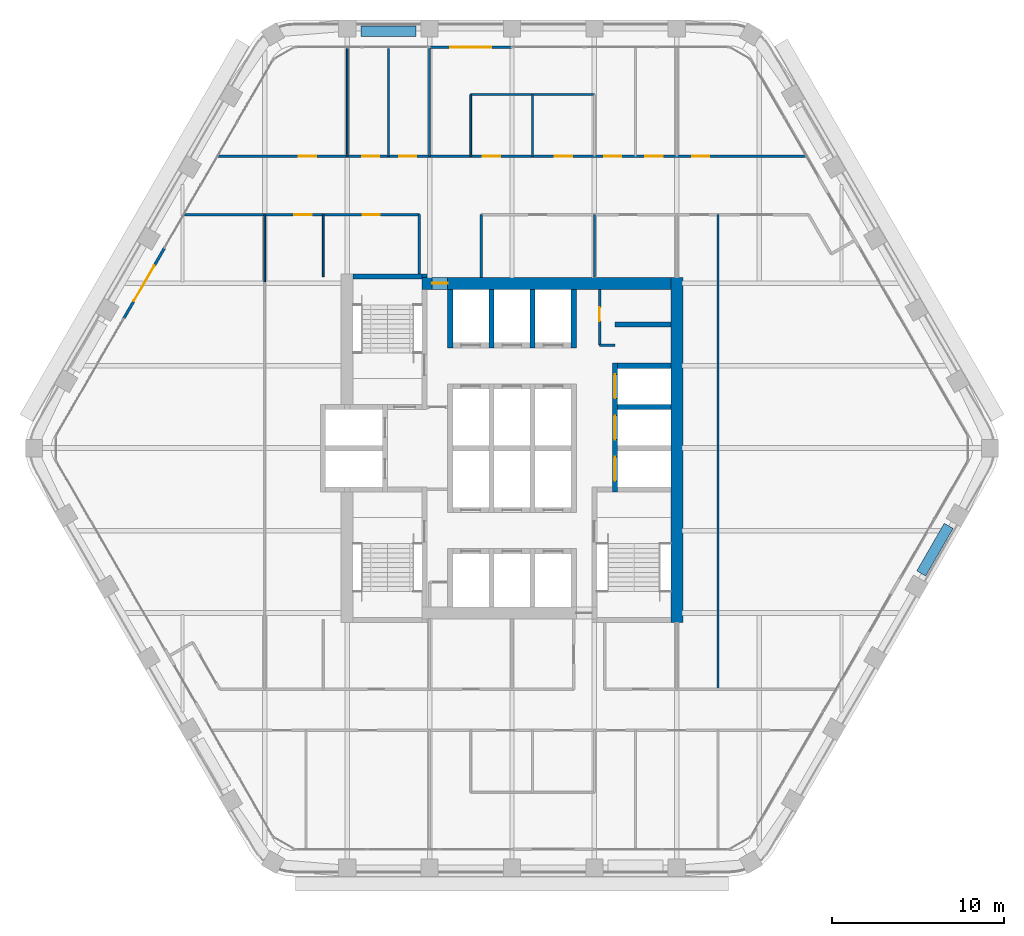
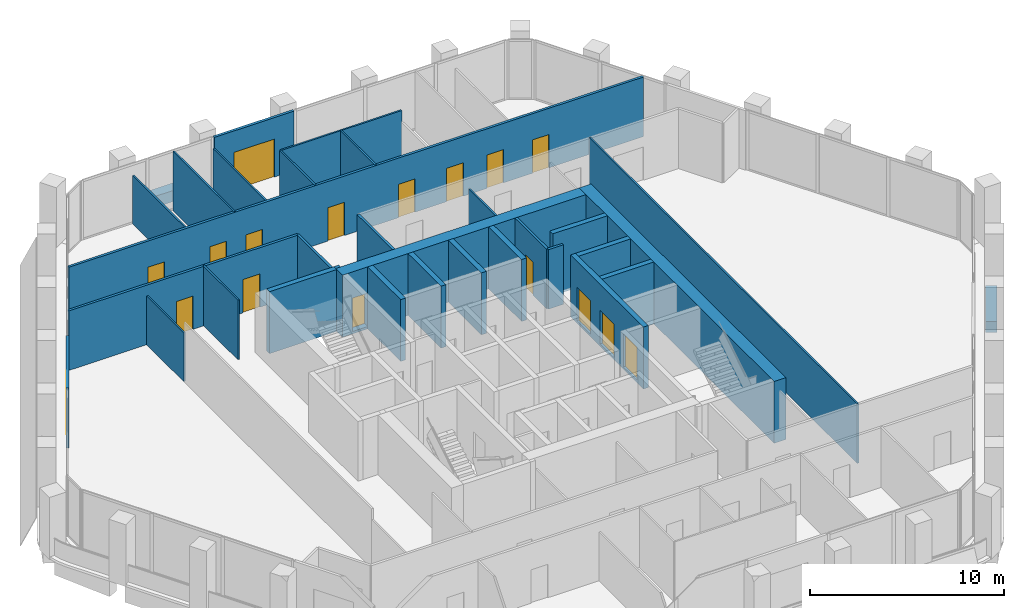
# One storey, part 11 of 15: 32 walls, 17 doors, 17 openings.
"""IFC4 building model written with IfcOpenShell, lengths in metres."""

import ifcopenshell
import ifcopenshell.guid

model = None  # the IFC model being written
_history = None  # IfcOwnerHistory: only IFC2X3 demands one
_inside = {}  # id of a spatial element -> (the spatial element, [elements in it])
_under = {}  # id of a project, library or spatial element -> (it, [spatial elements below it])
_declared = {}  # id of a project -> (the project, [libraries it declares])
_typed = {}  # id of a type object -> (the type object, [elements of that type])
_made_of = {}  # id of a material, layer set ... -> (it, [elements and type objects made of it])


def new_model(schema):
    """Start an empty IFC model of exactly this schema.

    Asked for "IFC4X3", IfcOpenShell would pick the latest addendum, in which some entities
    have other attributes; the version numbers below select the first issue.
    IFC2X3 requires an IfcOwnerHistory on every rooted entity: one is made here for all.
    """
    global model, _history
    if schema == "IFC4X3":
        model = ifcopenshell.file(schema_version=(4, 3, 0, 0))
    else:
        model = ifcopenshell.file(schema=schema)
    _inside.clear()
    _under.clear()
    _declared.clear()
    _typed.clear()
    _made_of.clear()
    _history = None
    if model.schema == "IFC2X3":
        org = make("IfcOrganization", Name="unknown")
        user = make(
            "IfcPersonAndOrganization",
            ThePerson=make("IfcPerson", FamilyName="unknown"),
            TheOrganization=org,
        )
        app = make(
            "IfcApplication",
            ApplicationDeveloper=org,
            Version="unknown",
            ApplicationFullName="unknown",
            ApplicationIdentifier="unknown",
        )
        _history = make(
            "IfcOwnerHistory",
            OwningUser=user,
            OwningApplication=app,
            ChangeAction="ADDED",
            CreationDate=0,
        )
    return model


def make(cls, **values):
    """One entity of the class cls with the attributes given. An attribute that is None is left unset."""
    return model.create_entity(
        cls, **{name: value for name, value in values.items() if value is not None}
    )


def rooted(cls, **values):
    """An entity with a GlobalId (a new one), such as an element, a storey or a relation."""
    return make(cls, GlobalId=ifcopenshell.guid.new(), OwnerHistory=_history, **values)


def si_unit(unit_type, name, prefix=None):
    """IfcSIUnit, for example si_unit("LENGTHUNIT", "METRE", prefix="MILLI")."""
    return make("IfcSIUnit", UnitType=unit_type, Prefix=prefix, Name=name)


def assignment(units):
    """IfcUnitAssignment: the units of a project."""
    return None if units is None else make("IfcUnitAssignment", Units=units)


def point(xyz):
    """IfcCartesianPoint."""
    return None if xyz is None else make("IfcCartesianPoint", Coordinates=xyz)


def direction(xyz):
    """IfcDirection."""
    return None if xyz is None else make("IfcDirection", DirectionRatios=xyz)


def frame(location, z_axis=None, x_axis=None):
    """IfcAxis2Placement3D, a coordinate frame: its origin and axes. An axis left out is left unset."""
    return make(
        "IfcAxis2Placement3D",
        Location=point(location),
        Axis=direction(z_axis),
        RefDirection=direction(x_axis),
    )


def frame_2d(location, x_axis=None):
    """IfcAxis2Placement2D, a coordinate frame in the plane: its origin and x axis."""
    return make(
        "IfcAxis2Placement2D", Location=point(location), RefDirection=direction(x_axis)
    )


def origin():
    """The frame at (0, 0, 0) with its axes left unset."""
    return frame((0.0, 0.0, 0.0))


def place(relative_to, where):
    """IfcLocalPlacement: puts the frame where relative to a parent placement (None: the world)."""
    return make(
        "IfcLocalPlacement", PlacementRelTo=relative_to, RelativePlacement=where
    )


def context(
    kind, dimensions, precision=None, world=None, true_north=None, identifier=None
):
    """IfcGeometricRepresentationContext, for example the 3D "Model" context."""
    return make(
        "IfcGeometricRepresentationContext",
        ContextIdentifier=identifier,
        ContextType=kind,
        CoordinateSpaceDimension=dimensions,
        Precision=precision,
        WorldCoordinateSystem=world,
        TrueNorth=true_north,
    )


def subcontext(parent, identifier, kind, view, scale=None):
    """IfcGeometricRepresentationSubContext, for example "Body" below "Model"."""
    return make(
        "IfcGeometricRepresentationSubContext",
        ContextIdentifier=identifier,
        ContextType=kind,
        ParentContext=parent,
        TargetScale=scale,
        TargetView=view,
    )


def project(units=None, contexts=None):
    """IfcProject with its units and contexts."""
    return rooted(
        "IfcProject",
        Name="project",
        RepresentationContexts=contexts,
        UnitsInContext=assignment(units),
    )


def spatial(cls, under=None, at=None, **own):
    """A site, building, storey or space (cls), placed at a placement, below another one or the project."""
    s = rooted(cls, ObjectPlacement=at, **own)
    if under is not None:
        _under.setdefault(under.id(), (under, []))[1].append(s)
    return s


def profile(cls, at=None, kind="AREA", **sizes):
    """A parametric profile (cls). Its sizes go by their IFC names, for example OverallWidth=200.0."""
    return make(cls, ProfileType=kind, Position=at, **sizes)


def rectangle(**sizes):
    """IfcRectangleProfileDef."""
    return profile("IfcRectangleProfileDef", **sizes)


def extrude(swept, where, along, depth):
    """IfcExtrudedAreaSolid: the profile swept, set in the frame where, extruded along a direction by depth."""
    return make(
        "IfcExtrudedAreaSolid",
        SweptArea=swept,
        Position=where,
        ExtrudedDirection=direction(along),
        Depth=depth,
    )


def shape(context_of_items, identifier, shape_type, items):
    """IfcShapeRepresentation: the items that make up one representation, for example the "Body"."""
    return make(
        "IfcShapeRepresentation",
        ContextOfItems=context_of_items,
        RepresentationIdentifier=identifier,
        RepresentationType=shape_type,
        Items=items,
    )


def material(Name=None, Category=None):
    """IfcMaterial."""
    return make("IfcMaterial", Name=Name, Category=Category)


def layer(
    of_material, thickness, ventilated=None, Name=None, Category=None, Priority=None
):
    """IfcMaterialLayer: one layer of a wall or slab, of a material (None: an air gap)."""
    return make(
        "IfcMaterialLayer",
        Material=of_material,
        LayerThickness=thickness,
        IsVentilated=ventilated,
        Name=Name,
        Category=Category,
        Priority=Priority,
    )


def layer_set(layers, Name=None):
    """IfcMaterialLayerSet."""
    return make("IfcMaterialLayerSet", MaterialLayers=layers, LayerSetName=Name)


def made_of(thing, what):
    """Note that an element or type object is made of a material, layer set ...; save() writes the relation."""
    if what is not None:
        _made_of.setdefault(what.id(), (what, []))[1].append(thing)
    return thing


def type_object(cls, material=None, **own):
    """A type object (cls), such as IfcWallType, which elements share."""
    return made_of(rooted(cls, **own), material)


def element(
    cls,
    number,
    at=None,
    inside=None,
    cuts=None,
    type_object=None,
    material=None,
    context=None,
    identifier="Body",
    shape_type=None,
    held_by="IfcProductDefinitionShape",
    body=None,
    shapes=None,
    **own,
):
    """One element of the class cls, such as IfcWall. Its Tag is "e" and its number.

    at: its placement. inside: the storey or other place that contains it. cuts: it is an
    opening in that element (IfcRelVoidsElement). A single representation is given by context,
    identifier, shape_type and body (its items); several are given by shapes. held_by: the class
    of the entity that holds the representations. save() writes the other relations.
    """
    e = rooted(cls, Tag="e%d" % number, ObjectPlacement=at, **own)
    if body is not None:
        shapes = [shape(context, identifier, shape_type, body)]
    if shapes is not None:
        e.Representation = make(held_by, Representations=shapes)
    if inside is not None:
        _inside.setdefault(inside.id(), (inside, []))[1].append(e)
    if cuts is not None:
        rooted(
            "IfcRelVoidsElement", RelatingBuildingElement=cuts, RelatedOpeningElement=e
        )
    if type_object is not None:
        _typed.setdefault(type_object.id(), (type_object, []))[1].append(e)
    return made_of(e, material)


def fill(opening, filler):
    """IfcRelFillsElement: the door or window that sits in an opening."""
    return rooted(
        "IfcRelFillsElement",
        RelatingOpeningElement=opening,
        RelatedBuildingElement=filler,
    )


def aggregate(whole, parts):
    """IfcRelAggregates: a whole, such as a stair, and the parts it consists of."""
    return rooted("IfcRelAggregates", RelatingObject=whole, RelatedObjects=parts)


def save(model, path):
    """Write the relations noted so far, then the file.

    IfcRelAggregates (storeys below a building ...), IfcRelContainedInSpatialStructure (elements
    in a storey), IfcRelDefinesByType, IfcRelAssociatesMaterial and IfcRelDeclares: one each for
    every whole, place, type object, material and project.
    """
    for whole, parts in _under.values():
        aggregate(whole, parts)
    for where, things in _inside.values():
        rooted(
            "IfcRelContainedInSpatialStructure",
            RelatedElements=things,
            RelatingStructure=where,
        )
    for kind, things in _typed.values():
        rooted("IfcRelDefinesByType", RelatedObjects=things, RelatingType=kind)
    for what, things in _made_of.values():
        rooted("IfcRelAssociatesMaterial", RelatedObjects=things, RelatingMaterial=what)
    for by, libraries in _declared.values():
        rooted("IfcRelDeclares", RelatingContext=by, RelatedDefinitions=libraries)
    model.write(path)


model = new_model("IFC4")

# Units and contexts
model_context = context("Model", 3, precision=1e-05, world=origin(), true_north=direction((0.0, 1.0)))
body_context = subcontext(model_context, "Body", "Model", "MODEL_VIEW")
ifc_project = project(units=[si_unit("LENGTHUNIT", "METRE"), si_unit("AREAUNIT", "SQUARE_METRE"), si_unit("VOLUMEUNIT", "CUBIC_METRE"), si_unit("PLANEANGLEUNIT", "RADIAN"), si_unit("MASSUNIT", "GRAM", prefix="KILO")], contexts=[model_context])

# Site, building, storey
site_placement = place(None, origin())
site = spatial("IfcSite", under=ifc_project, at=site_placement, CompositionType="ELEMENT")
building_placement = place(site_placement, origin())
building = spatial("IfcBuilding", under=site, at=building_placement, Name="Kolab Exchange Tower", CompositionType="ELEMENT")
storey_placement = place(building_placement, frame((0.0, 0.0, 170.0)))
storey = spatial("IfcBuildingStorey", under=building, at=storey_placement, Name="L35", CompositionType="ELEMENT", Elevation=170.0)

# Wall, opening, door
ifc_material_1 = material(Name="Concrete C60/75", Category="concrete")
ifc_layer_1 = layer(ifc_material_1, 0.699951171875)
ifc_layer_set_1 = layer_set([ifc_layer_1], Name="Concrete C60/75")
wall_type_1 = type_object("IfcWallType", Name="CORE WALL 700 C60/75", PredefinedType="SHEAR", material=ifc_layer_set_1)
wall_1_placement = place(storey_placement, frame((-5.25, 9.60009765625, -0.14990234375), z_axis=(0.0, 0.0, 1.0), x_axis=(1.0, 0.0, 0.0)))
wall_1 = element("IfcWall", 1, at=wall_1_placement, inside=storey, type_object=wall_type_1, Name="wall/L35/core/031", PredefinedType="SHEAR", context=body_context, shape_type="SweptSolid", body=[
    extrude(rectangle(XDim=14.5, YDim=0.699951171875, at=frame_2d((7.25, 0.0))), origin(), (0.0, 0.0, 1.0), 3.89990234375),
])
opening_1_placement = place(wall_1_placement, frame((0.60009765625, 0.0, 0.14990234375)))
opening_1 = element("IfcOpeningElement", 2, at=opening_1_placement, cuts=wall_1, Name="Opening D6-289", PredefinedType="OPENING", context=body_context, shape_type="SweptSolid", body=[
    extrude(rectangle(XDim=0.89990234375, YDim=2.10009765625, at=frame_2d((0.449951171875, 1.050048828125))), frame((0.0, 0.35986328125, 0.0), z_axis=(0.0, -1.0, 0.0), x_axis=(1.0, 0.0, 0.0)), (0.0, 0.0, 1.0), 0.719970703125),
])
ifc_material_2 = material(Name="Steel S235", Category="steel")
door_type_1 = type_object("IfcDoorType", Name="CORE DOOR 900 EI 120", OperationType="SINGLE_SWING_LEFT", PredefinedType="DOOR", material=ifc_material_2)
door_1_placement = place(opening_1_placement, frame((0.89990234375, 0.0, 0.0), z_axis=(0.0, 0.0, 1.0), x_axis=(-1.0, 0.0, 0.0)))
door_1 = element("IfcDoor", 3, at=door_1_placement, inside=storey, type_object=door_type_1, Name="Core lobby door", OperationType="SINGLE_SWING_RIGHT", OverallHeight=2.10009765625, OverallWidth=0.89990234375, PredefinedType="DOOR", context=body_context, shape_type="SweptSolid", body=[
    extrude(rectangle(XDim=0.89990234375, YDim=2.10009765625, at=frame_2d((0.449951171875, 1.050048828125))), frame((0.0, 0.02490234375, 0.0), z_axis=(0.0, -1.0, 0.0), x_axis=(1.0, 0.0, 0.0)), (0.0, 0.0, 1.0), 0.050048828125),
])
fill(opening_1, door_1)

# Wall
wall_2_placement = place(storey_placement, frame((9.60009765625, -10.14990234375, -0.14990234375), z_axis=(0.0, 0.0, 1.0), x_axis=(0.0, 1.0, 0.0)))
element("IfcWall", 4, at=wall_2_placement, inside=storey, type_object=wall_type_1, Name="wall/L35/core/058", PredefinedType="SHEAR", context=body_context, shape_type="SweptSolid", body=[
    extrude(rectangle(XDim=20.099853515625, YDim=0.699951171875, at=frame_2d((10.0498046875, 0.0))), origin(), (0.0, 0.0, 1.0), 3.89990234375),
])

# Wall, opening, door
ifc_material_3 = material(Name="Aluminium EN AW-6063 T6", Category="aluminium")
ifc_layer_2 = layer(ifc_material_3, 0.159912109375)
ifc_layer_set_2 = layer_set([ifc_layer_2], Name="Aluminium EN AW-6063 T6")
wall_type_2 = type_object("IfcWallType", Name="DOOR SURROUND WALL 160 ALUMINIUM FRAMED", PredefinedType="PARTITIONING", material=ifc_layer_set_2)
wall_3_placement = place(storey_placement, frame((-4.77001953125, 23.361572265625, 0.0), z_axis=(0.0, 0.0, 1.0), x_axis=(1.0, 0.0, 0.0)))
wall_3 = element("IfcWall", 5, at=wall_3_placement, inside=storey, type_object=wall_type_2, Name="Door surround wall", PredefinedType="PARTITIONING", context=body_context, shape_type="SweptSolid", body=[
    extrude(rectangle(XDim=4.739990234375, YDim=0.159912109375, at=frame_2d((2.3701171875, 0.0))), origin(), (0.0, 0.0, 1.0), 3.75),
])
opening_2_placement = place(wall_3_placement, frame((1.169921875, 0.0, 0.0)))
opening_2 = element("IfcOpeningElement", 6, at=opening_2_placement, cuts=wall_3, Name="Opening GD1-064", PredefinedType="OPENING", context=body_context, shape_type="SweptSolid", body=[
    extrude(rectangle(XDim=2.39990234375, YDim=2.39990234375, at=frame_2d((1.199951171875, 1.199951171875))), frame((0.0, 0.08984375, 0.0), z_axis=(0.0, -1.0, 0.0), x_axis=(1.0, 0.0, 0.0)), (0.0, 0.0, 1.0), 0.179931640625),
])
door_type_2 = type_object("IfcDoorType", Name="LOGGIA SLIDING GLASS DOOR 2400 X 2400", OperationType="DOUBLE_DOOR_SINGLE_SWING", PredefinedType="DOOR", material=ifc_material_3)
door_2_placement = place(opening_2_placement, origin())
door_2 = element("IfcDoor", 7, at=door_2_placement, inside=storey, type_object=door_type_2, Name="Loggia door", OperationType="DOUBLE_DOOR_SLIDING", OverallHeight=2.39990234375, OverallWidth=2.39990234375, PredefinedType="DOOR", context=body_context, shape_type="SweptSolid", body=[
    extrude(rectangle(XDim=2.39990234375, YDim=2.39990234375, at=frame_2d((1.199951171875, 1.199951171875))), frame((0.0, 0.02490234375, 0.0), z_axis=(0.0, -1.0, 0.0), x_axis=(1.0, 0.0, 0.0)), (0.0, 0.0, 1.0), 0.050048828125),
])
fill(opening_2, door_2)

wall_4_placement = place(storey_placement, frame((-22.61669921875, 7.5498046875, 0.0), z_axis=(0.0, 0.0, 1.0), x_axis=(0.5000167099, 0.866015756104, 0.0)))
wall_4 = element("IfcWall", 8, at=wall_4_placement, inside=storey, type_object=wall_type_2, Name="Door surround wall", PredefinedType="PARTITIONING", context=body_context, shape_type="SweptSolid", body=[
    extrude(rectangle(XDim=4.739990234375, YDim=0.159912109375, at=frame_2d((2.3701171875, 0.0))), origin(), (0.0, 0.0, 1.0), 3.75),
])
opening_3_placement = place(wall_4_placement, frame((1.169921875, 0.0, 0.0)))
opening_3 = element("IfcOpeningElement", 9, at=opening_3_placement, cuts=wall_4, Name="Opening GD1-069", PredefinedType="OPENING", context=body_context, shape_type="SweptSolid", body=[
    extrude(rectangle(XDim=2.39990234375, YDim=2.39990234375, at=frame_2d((1.199951171875, 1.199951171875))), frame((0.0, 0.08984375, 0.0), z_axis=(0.0, -1.0, 0.0), x_axis=(1.0, 0.0, 0.0)), (0.0, 0.0, 1.0), 0.179931640625),
])
door_3_placement = place(opening_3_placement, origin())
door_3 = element("IfcDoor", 10, at=door_3_placement, inside=storey, type_object=door_type_2, Name="Loggia door", OperationType="DOUBLE_DOOR_SLIDING", OverallHeight=2.39990234375, OverallWidth=2.39990234375, PredefinedType="DOOR", context=body_context, shape_type="SweptSolid", body=[
    extrude(rectangle(XDim=2.39990234375, YDim=2.39990234375, at=frame_2d((1.199951171875, 1.199951171875))), frame((0.0, 0.02490234375, 0.0), z_axis=(0.0, -1.0, 0.0), x_axis=(1.0, 0.0, 0.0)), (0.0, 0.0, 1.0), 0.050048828125),
])
fill(opening_3, door_3)

# Walls
ifc_material_4 = material(Name="Concrete C50/60", Category="concrete")
ifc_layer_3 = layer(ifc_material_4, 0.300048828125)
ifc_layer_set_3 = layer_set([ifc_layer_3], Name="Concrete C50/60")
wall_type_3 = type_object("IfcWallType", Name="LIFT SHAFT WALL 300 C50/60", PredefinedType="STANDARD", material=ifc_layer_set_3)
for number, where, z_axis, x_axis, name in (
    (11, (6.14990234375, 2.39990234375, -0.14990234375), (0.0, 0.0, 1.0), (1.0, 0.0, 0.0), "wall/L35/core/022"),
    (12, (6.14990234375, 4.800048828125, -0.14990234375), (0.0, 0.0, 1.0), (1.0, 0.0, 0.0), "wall/L35/core/026"),
):
    element("IfcWall", number, at=place(storey_placement, frame(where, z_axis=z_axis, x_axis=x_axis)), inside=storey, type_object=wall_type_3, Name=name, PredefinedType="STANDARD", context=body_context, shape_type="SweptSolid", body=[
        extrude(rectangle(XDim=3.10009765625, YDim=0.300048828125, at=frame_2d((1.550048828125, 0.0))), origin(), (0.0, 0.0, 1.0), 3.89990234375),
    ])
wall_5_placement = place(storey_placement, frame((6.0, 7.199951171875, -0.14990234375), z_axis=(0.0, 0.0, 1.0), x_axis=(1.0, 0.0, 0.0)))
element("IfcWall", 13, at=wall_5_placement, inside=storey, type_object=wall_type_3, Name="wall/L35/core/030", PredefinedType="STANDARD", context=body_context, shape_type="SweptSolid", body=[
    extrude(rectangle(XDim=3.25, YDim=0.300048828125, at=frame_2d((1.625, 0.0))), origin(), (0.0, 0.0, 1.0), 3.89990234375),
])
for number, where, z_axis, x_axis, name in (
    (14, (-3.60009765625, 5.85009765625, -0.14990234375), (0.0, 0.0, 1.0), (0.0, 1.0, 0.0), "wall/L35/core/045"),
    (15, (-1.199951171875, 5.85009765625, -0.14990234375), (0.0, 0.0, 1.0), (0.0, 1.0, 0.0), "wall/L35/core/048"),
    (16, (1.199951171875, 5.85009765625, -0.14990234375), (0.0, 0.0, 1.0), (0.0, 1.0, 0.0), "wall/L35/core/051"),
    (17, (3.60009765625, 5.85009765625, -0.14990234375), (0.0, 0.0, 1.0), (0.0, 1.0, 0.0), "wall/L35/core/054"),
):
    element("IfcWall", number, at=place(storey_placement, frame(where, z_axis=z_axis, x_axis=x_axis)), inside=storey, type_object=wall_type_3, Name=name, PredefinedType="STANDARD", context=body_context, shape_type="SweptSolid", body=[
        extrude(rectangle(XDim=3.39990234375, YDim=0.300048828125, at=frame_2d((1.699951171875, 0.0))), origin(), (0.0, 0.0, 1.0), 3.89990234375),
    ])

# Wall, openings, doors
wall_6_placement = place(storey_placement, frame((6.0, -2.550048828125, -0.14990234375), z_axis=(0.0, 0.0, 1.0), x_axis=(0.0, 1.0, 0.0)))
wall_6 = element("IfcWall", 18, at=wall_6_placement, inside=storey, type_object=wall_type_3, Name="wall/L35/core/057", PredefinedType="STANDARD", context=body_context, shape_type="SweptSolid", body=[
    extrude(rectangle(XDim=7.5, YDim=0.300048828125, at=frame_2d((3.75, 0.0))), origin(), (0.0, 0.0, 1.0), 3.89990234375),
])
opening_4_placement = place(wall_6_placement, frame((0.64990234375, 0.0, 0.14990234375)))
opening_4 = element("IfcOpeningElement", 19, at=opening_4_placement, cuts=wall_6, Name="Opening LD3-037", PredefinedType="OPENING", context=body_context, shape_type="SweptSolid", body=[
    extrude(rectangle(XDim=1.39990234375, YDim=2.10009765625, at=frame_2d((0.699951171875, 1.050048828125))), frame((0.0, 0.16015625, 0.0), z_axis=(0.0, -1.0, 0.0), x_axis=(1.0, 0.0, 0.0)), (0.0, 0.0, 1.0), 0.320068359375),
])
opening_5_placement = place(wall_6_placement, frame((3.050048828125, 0.0, 0.14990234375)))
opening_5 = element("IfcOpeningElement", 20, at=opening_5_placement, cuts=wall_6, Name="Opening LD3-038", PredefinedType="OPENING", context=body_context, shape_type="SweptSolid", body=[
    extrude(rectangle(XDim=1.39990234375, YDim=2.10009765625, at=frame_2d((0.699951171875, 1.050048828125))), frame((0.0, 0.16015625, 0.0), z_axis=(0.0, -1.0, 0.0), x_axis=(1.0, 0.0, 0.0)), (0.0, 0.0, 1.0), 0.320068359375),
])
opening_6_placement = place(wall_6_placement, frame((5.449951171875, 0.0, 0.14990234375)))
opening_6 = element("IfcOpeningElement", 21, at=opening_6_placement, cuts=wall_6, Name="Opening LD3-039", PredefinedType="OPENING", context=body_context, shape_type="SweptSolid", body=[
    extrude(rectangle(XDim=1.39990234375, YDim=2.10009765625, at=frame_2d((0.699951171875, 1.050048828125))), frame((0.0, 0.16015625, 0.0), z_axis=(0.0, -1.0, 0.0), x_axis=(1.0, 0.0, 0.0)), (0.0, 0.0, 1.0), 0.320068359375),
])
ifc_material_5 = material(Name="Stainless steel 316", Category="steel")
door_type_3 = type_object("IfcDoorType", Name="LANDING DOOR 1400 SERVICE", OperationType="DOUBLE_DOOR_SLIDING", PredefinedType="DOOR", material=ifc_material_5)
door_4_placement = place(opening_4_placement, origin())
door_4 = element("IfcDoor", 22, at=door_4_placement, inside=storey, type_object=door_type_3, Name="Landing door SV1", OperationType="DOUBLE_DOOR_SLIDING", OverallHeight=2.10009765625, OverallWidth=1.39990234375, PredefinedType="DOOR", context=body_context, shape_type="SweptSolid", body=[
    extrude(rectangle(XDim=1.39990234375, YDim=2.10009765625, at=frame_2d((0.699951171875, 1.050048828125))), frame((0.0, 0.02490234375, 0.0), z_axis=(0.0, -1.0, 0.0), x_axis=(1.0, 0.0, 0.0)), (0.0, 0.0, 1.0), 0.050048828125),
])
fill(opening_4, door_4)
door_5_placement = place(opening_5_placement, origin())
door_5 = element("IfcDoor", 23, at=door_5_placement, inside=storey, type_object=door_type_3, Name="Landing door SV2", OperationType="DOUBLE_DOOR_SLIDING", OverallHeight=2.10009765625, OverallWidth=1.39990234375, PredefinedType="DOOR", context=body_context, shape_type="SweptSolid", body=[
    extrude(rectangle(XDim=1.39990234375, YDim=2.10009765625, at=frame_2d((0.699951171875, 1.050048828125))), frame((0.0, 0.02490234375, 0.0), z_axis=(0.0, -1.0, 0.0), x_axis=(1.0, 0.0, 0.0)), (0.0, 0.0, 1.0), 0.050048828125),
])
fill(opening_5, door_5)
door_6_placement = place(opening_6_placement, origin())
door_6 = element("IfcDoor", 24, at=door_6_placement, inside=storey, type_object=door_type_3, Name="Landing door SV3", OperationType="DOUBLE_DOOR_SLIDING", OverallHeight=2.10009765625, OverallWidth=1.39990234375, PredefinedType="DOOR", context=body_context, shape_type="SweptSolid", body=[
    extrude(rectangle(XDim=1.39990234375, YDim=2.10009765625, at=frame_2d((0.699951171875, 1.050048828125))), frame((0.0, 0.02490234375, 0.0), z_axis=(0.0, -1.0, 0.0), x_axis=(1.0, 0.0, 0.0)), (0.0, 0.0, 1.0), 0.050048828125),
])
fill(opening_6, door_6)

# Walls
ifc_material_6 = material(Name="Gypsum board", Category="gypsum")
ifc_layer_4 = layer(ifc_material_6, 0.10009765625)
ifc_layer_set_4 = layer_set([ifc_layer_4], Name="Gypsum board")
wall_type_4 = type_object("IfcWallType", Name="PARTITION 100", PredefinedType="PARTITIONING", material=ifc_layer_set_4)
wall_7_placement = place(storey_placement, frame((12.0, -14.04150390625, 0.0), z_axis=(0.0, 0.0, 1.0), x_axis=(0.0, 1.0, 0.0)))
element("IfcWall", 25, at=wall_7_placement, inside=storey, type_object=wall_type_4, Name="Partition 001", PredefinedType="PARTITIONING", context=body_context, shape_type="SweptSolid", body=[
    extrude(rectangle(XDim=27.6416015625, YDim=0.10009765625, at=frame_2d((13.82080078125, 0.0))), origin(), (0.0, 0.0, 1.0), 3.75),
])
wall_8_placement = place(storey_placement, frame((4.800048828125, 9.949951171875, 0.0), z_axis=(0.0, 0.0, 1.0), x_axis=(0.0, 1.0, 0.0)))
element("IfcWall", 26, at=wall_8_placement, inside=storey, type_object=wall_type_4, Name="Partition 010", PredefinedType="PARTITIONING", context=body_context, shape_type="SweptSolid", body=[
    extrude(rectangle(XDim=3.650146484375, YDim=0.10009765625, at=frame_2d((1.8251953125, 0.0))), origin(), (0.0, 0.0, 1.0), 3.06591796875),
])
for number, where, z_axis, x_axis, name in (
    (27, (1.199951171875, 17.0, 0.0), (0.0, 0.0, 1.0), (0.0, 1.0, 0.0), "Partition 014"),
    (28, (-2.39990234375, 17.0, 0.0), (0.0, 0.0, 1.0), (0.0, 1.0, 0.0), "Partition 018"),
):
    element("IfcWall", number, at=place(storey_placement, frame(where, z_axis=z_axis, x_axis=x_axis)), inside=storey, type_object=wall_type_4, Name=name, PredefinedType="PARTITIONING", context=body_context, shape_type="SweptSolid", body=[
        extrude(rectangle(XDim=3.60009765625, YDim=0.10009765625, at=frame_2d((1.800048828125, 0.0))), origin(), (0.0, 0.0, 1.0), 3.75),
    ])
wall_9_placement = place(storey_placement, frame((-4.800048828125, 17.0, 0.0), z_axis=(0.0, 0.0, 1.0), x_axis=(0.0, 1.0, 0.0)))
element("IfcWall", 29, at=wall_9_placement, inside=storey, type_object=wall_type_4, Name="Partition 021", PredefinedType="PARTITIONING", context=body_context, shape_type="SweptSolid", body=[
    extrude(rectangle(XDim=6.281494140625, YDim=0.10009765625, at=frame_2d((3.140625, 0.0))), origin(), (0.0, 0.0, 1.0), 3.06591796875),
])
wall_10_placement = place(storey_placement, frame((-7.199951171875, 17.0, 0.0), z_axis=(0.0, 0.0, 1.0), x_axis=(0.0, 1.0, 0.0)))
element("IfcWall", 30, at=wall_10_placement, inside=storey, type_object=wall_type_4, Name="Partition 024", PredefinedType="PARTITIONING", context=body_context, shape_type="SweptSolid", body=[
    extrude(rectangle(XDim=6.271484375, YDim=0.10009765625, at=frame_2d((3.1357421875, 0.0))), origin(), (0.0, 0.0, 1.0), 3.75),
])
wall_11_placement = place(storey_placement, frame((-9.60009765625, 17.0, 0.0), z_axis=(0.0, 0.0, 1.0), x_axis=(0.0, 1.0, 0.0)))
element("IfcWall", 31, at=wall_11_placement, inside=storey, type_object=wall_type_4, Name="Partition 025", PredefinedType="PARTITIONING", context=body_context, shape_type="SweptSolid", body=[
    extrude(rectangle(XDim=6.271484375, YDim=0.10009765625, at=frame_2d((3.1357421875, 0.0))), origin(), (0.0, 0.0, 1.0), 3.06591796875),
])
wall_12_placement = place(storey_placement, frame((-11.0, 10.0, 0.0), z_axis=(0.0, 0.0, 1.0), x_axis=(0.0, 1.0, 0.0)))
element("IfcWall", 32, at=wall_12_placement, inside=storey, type_object=wall_type_4, Name="Partition 027", PredefinedType="PARTITIONING", context=body_context, shape_type="SweptSolid", body=[
    extrude(rectangle(XDim=3.60009765625, YDim=0.10009765625, at=frame_2d((1.800048828125, 0.0))), origin(), (0.0, 0.0, 1.0), 3.75),
])
wall_13_placement = place(storey_placement, frame((-14.39990234375, 9.693603515625, 0.0), z_axis=(0.0, 0.0, 1.0), x_axis=(0.0, 1.0, 0.0)))
element("IfcWall", 33, at=wall_13_placement, inside=storey, type_object=wall_type_4, Name="Partition 029", PredefinedType="PARTITIONING", context=body_context, shape_type="SweptSolid", body=[
    extrude(rectangle(XDim=3.906494140625, YDim=0.10009765625, at=frame_2d((1.953125, 0.0))), origin(), (0.0, 0.0, 1.0), 3.06591796875),
])
wall_14_placement = place(storey_placement, frame((-2.39990234375, 20.60009765625, 0.0), z_axis=(0.0, 0.0, 1.0), x_axis=(1.0, 0.0, 0.0)))
element("IfcWall", 34, at=wall_14_placement, inside=storey, type_object=wall_type_4, Name="Partition 043", PredefinedType="PARTITIONING", context=body_context, shape_type="SweptSolid", body=[
    extrude(rectangle(XDim=7.199951171875, YDim=0.10009765625, at=frame_2d((3.60009765625, 0.0))), origin(), (0.0, 0.0, 1.0), 3.75),
])

# Wall, opening, door
ifc_layer_5 = layer(ifc_material_6, 0.14990234375)
ifc_layer_set_5 = layer_set([ifc_layer_5], Name="Gypsum board")
wall_type_5 = type_object("IfcWallType", Name="PARTITION 150 FIRE-RATED", PredefinedType="PARTITIONING", material=ifc_layer_set_5)
wall_15_placement = place(storey_placement, frame((5.10009765625, 6.0, 0.0), z_axis=(0.0, 0.0, 1.0), x_axis=(0.0, 1.0, 0.0)))
wall_15 = element("IfcWall", 35, at=wall_15_placement, inside=storey, type_object=wall_type_5, Name="Partition 008", PredefinedType="PARTITIONING", context=body_context, shape_type="SweptSolid", body=[
    extrude(rectangle(XDim=3.25, YDim=0.14990234375, at=frame_2d((1.625, 0.0))), origin(), (0.0, 0.0, 1.0), 3.75),
])
opening_7_placement = place(wall_15_placement, frame((1.39990234375, 0.0, 0.0)))
opening_7 = element("IfcOpeningElement", 36, at=opening_7_placement, cuts=wall_15, Name="Opening D7-033", PredefinedType="OPENING", context=body_context, shape_type="SweptSolid", body=[
    extrude(rectangle(XDim=0.800048828125, YDim=2.10009765625, at=frame_2d((0.39990234375, 1.050048828125))), frame((0.0, 0.0849609375, 0.0), z_axis=(0.0, -1.0, 0.0), x_axis=(1.0, 0.0, 0.0)), (0.0, 0.0, 1.0), 0.169921875),
])
door_type_4 = type_object("IfcDoorType", Name="FLUSH DOOR 800 FD60", OperationType="SINGLE_SWING_LEFT", PredefinedType="DOOR", material=ifc_material_2)
door_7_placement = place(opening_7_placement, frame((0.800048828125, 0.0, 0.0), z_axis=(0.0, 0.0, 1.0), x_axis=(-1.0, 0.0, 0.0)))
door_7 = element("IfcDoor", 37, at=door_7_placement, inside=storey, type_object=door_type_4, Name="Door L35-023", OperationType="SINGLE_SWING_LEFT", OverallHeight=2.10009765625, OverallWidth=0.800048828125, PredefinedType="DOOR", context=body_context, shape_type="SweptSolid", body=[
    extrude(rectangle(XDim=0.800048828125, YDim=2.10009765625, at=frame_2d((0.39990234375, 1.050048828125))), frame((0.0, 0.02490234375, 0.0), z_axis=(0.0, -1.0, 0.0), x_axis=(1.0, 0.0, 0.0)), (0.0, 0.0, 1.0), 0.050048828125),
])
fill(opening_7, door_7)

# Walls
wall_16_placement = place(storey_placement, frame((-1.800048828125, 9.949951171875, 0.0), z_axis=(0.0, 0.0, 1.0), x_axis=(0.0, 1.0, 0.0)))
element("IfcWall", 38, at=wall_16_placement, inside=storey, type_object=wall_type_5, Name="Partition 016", PredefinedType="PARTITIONING", context=body_context, shape_type="SweptSolid", body=[
    extrude(rectangle(XDim=3.650146484375, YDim=0.14990234375, at=frame_2d((1.8251953125, 0.0))), origin(), (0.0, 0.0, 1.0), 3.75),
])
wall_17_placement = place(storey_placement, frame((-5.39990234375, 10.14990234375, 0.0), z_axis=(0.0, 0.0, 1.0), x_axis=(0.0, 1.0, 0.0)))
element("IfcWall", 39, at=wall_17_placement, inside=storey, type_object=wall_type_5, Name="Partition 023", PredefinedType="PARTITIONING", context=body_context, shape_type="SweptSolid", body=[
    extrude(rectangle(XDim=3.4501953125, YDim=0.14990234375, at=frame_2d((1.72509765625, 0.0))), origin(), (0.0, 0.0, 1.0), 3.75),
])
wall_18_placement = place(storey_placement, frame((5.10009765625, 6.0, 0.0), z_axis=(0.0, 0.0, 1.0), x_axis=(1.0, 0.0, 0.0)))
element("IfcWall", 40, at=wall_18_placement, inside=storey, type_object=wall_type_5, Name="Partition 039", PredefinedType="PARTITIONING", context=body_context, shape_type="SweptSolid", body=[
    extrude(rectangle(XDim=0.89990234375, YDim=0.14990234375, at=frame_2d((0.449951171875, 0.0))), origin(), (0.0, 0.0, 1.0), 3.75),
])

# Wall, openings, doors
wall_19_placement = place(storey_placement, frame((-19.077392578125, 13.60009765625, 0.0), z_axis=(0.0, 0.0, 1.0), x_axis=(1.0, 0.0, 0.0)))
wall_19 = element("IfcWall", 41, at=wall_19_placement, inside=storey, type_object=wall_type_5, Name="Partition 040", PredefinedType="PARTITIONING", context=body_context, shape_type="SweptSolid", body=[
    extrude(rectangle(XDim=13.677490234375, YDim=0.14990234375, at=frame_2d((6.8388671875, 0.0))), origin(), (0.0, 0.0, 1.0), 3.75),
])
opening_8_placement = place(wall_19_placement, frame((10.37744140625, 0.0, 0.0)))
opening_8 = element("IfcOpeningElement", 42, at=opening_8_placement, cuts=wall_19, Name="Opening D1-475", PredefinedType="OPENING", context=body_context, shape_type="SweptSolid", body=[
    extrude(rectangle(XDim=1.0, YDim=2.10009765625, at=frame_2d((0.5, 1.050048828125))), frame((0.0, 0.0849609375, 0.0), z_axis=(0.0, -1.0, 0.0), x_axis=(1.0, 0.0, 0.0)), (0.0, 0.0, 1.0), 0.169921875),
])
opening_9_placement = place(wall_19_placement, frame((6.40234375, 0.0, 0.0)))
opening_9 = element("IfcOpeningElement", 43, at=opening_9_placement, cuts=wall_19, Name="Opening D1-493", PredefinedType="OPENING", context=body_context, shape_type="SweptSolid", body=[
    extrude(rectangle(XDim=1.0, YDim=2.10009765625, at=frame_2d((0.5, 1.050048828125))), frame((0.0, 0.0849609375, 0.0), z_axis=(0.0, -1.0, 0.0), x_axis=(1.0, 0.0, 0.0)), (0.0, 0.0, 1.0), 0.169921875),
])
door_type_5 = type_object("IfcDoorType", Name="FLUSH DOOR 1000 FD60", OperationType="SINGLE_SWING_LEFT", PredefinedType="DOOR", material=ifc_material_2)
door_8_placement = place(opening_8_placement, frame((1.0, 0.0, 0.0), z_axis=(0.0, 0.0, 1.0), x_axis=(-1.0, 0.0, 0.0)))
door_8 = element("IfcDoor", 44, at=door_8_placement, inside=storey, type_object=door_type_5, Name="Door L35-033", OperationType="SINGLE_SWING_LEFT", OverallHeight=2.10009765625, OverallWidth=1.0, PredefinedType="DOOR", context=body_context, shape_type="SweptSolid", body=[
    extrude(rectangle(XDim=1.0, YDim=2.10009765625, at=frame_2d((0.5, 1.050048828125))), frame((0.0, 0.02490234375, 0.0), z_axis=(0.0, -1.0, 0.0), x_axis=(1.0, 0.0, 0.0)), (0.0, 0.0, 1.0), 0.050048828125),
])
fill(opening_8, door_8)
door_9_placement = place(opening_9_placement, frame((1.0, 0.0, 0.0), z_axis=(0.0, 0.0, 1.0), x_axis=(-1.0, 0.0, 0.0)))
door_9 = element("IfcDoor", 45, at=door_9_placement, inside=storey, type_object=door_type_5, Name="Door L35-056", OperationType="SINGLE_SWING_RIGHT", OverallHeight=2.10009765625, OverallWidth=1.0, PredefinedType="DOOR", context=body_context, shape_type="SweptSolid", body=[
    extrude(rectangle(XDim=1.0, YDim=2.10009765625, at=frame_2d((0.5, 1.050048828125))), frame((0.0, 0.02490234375, 0.0), z_axis=(0.0, -1.0, 0.0), x_axis=(1.0, 0.0, 0.0)), (0.0, 0.0, 1.0), 0.050048828125),
])
fill(opening_9, door_9)

wall_20_placement = place(storey_placement, frame((-17.114501953125, 17.0, 0.0), z_axis=(0.0, 0.0, 1.0), x_axis=(1.0, 0.0, 0.0)))
wall_20 = element("IfcWall", 46, at=wall_20_placement, inside=storey, type_object=wall_type_5, Name="Partition 042", PredefinedType="PARTITIONING", context=body_context, shape_type="SweptSolid", body=[
    extrude(rectangle(XDim=34.22900390625, YDim=0.14990234375, at=frame_2d((17.114501953125, 0.0))), origin(), (0.0, 0.0, 1.0), 3.75),
])
opening_10_placement = place(wall_20_placement, frame((15.41943359375, 0.0, 0.0)))
opening_10 = element("IfcOpeningElement", 47, at=opening_10_placement, cuts=wall_20, Name="Opening D1-477", PredefinedType="OPENING", context=body_context, shape_type="SweptSolid", body=[
    extrude(rectangle(XDim=1.0, YDim=2.10009765625, at=frame_2d((0.5, 1.050048828125))), frame((0.0, 0.0849609375, 0.0), z_axis=(0.0, -1.0, 0.0), x_axis=(1.0, 0.0, 0.0)), (0.0, 0.0, 1.0), 0.169921875),
])
opening_11_placement = place(wall_20_placement, frame((19.614501953125, 0.0, 0.0)))
opening_11 = element("IfcOpeningElement", 48, at=opening_11_placement, cuts=wall_20, Name="Opening D1-478", PredefinedType="OPENING", context=body_context, shape_type="SweptSolid", body=[
    extrude(rectangle(XDim=1.0, YDim=2.10009765625, at=frame_2d((0.5, 1.050048828125))), frame((0.0, 0.0849609375, 0.0), z_axis=(0.0, -1.0, 0.0), x_axis=(1.0, 0.0, 0.0)), (0.0, 0.0, 1.0), 0.169921875),
])
opening_12_placement = place(wall_20_placement, frame((4.701171875, 0.0, 0.0)))
opening_12 = element("IfcOpeningElement", 49, at=opening_12_placement, cuts=wall_20, Name="Opening D1-479", PredefinedType="OPENING", context=body_context, shape_type="SweptSolid", body=[
    extrude(rectangle(XDim=1.0, YDim=2.10009765625, at=frame_2d((0.5, 1.050048828125))), frame((0.0, 0.0849609375, 0.0), z_axis=(0.0, -1.0, 0.0), x_axis=(1.0, 0.0, 0.0)), (0.0, 0.0, 1.0), 0.169921875),
])
opening_13_placement = place(wall_20_placement, frame((8.389404296875, 0.0, 0.0)))
opening_13 = element("IfcOpeningElement", 50, at=opening_13_placement, cuts=wall_20, Name="Opening D1-480", PredefinedType="OPENING", context=body_context, shape_type="SweptSolid", body=[
    extrude(rectangle(XDim=1.0, YDim=2.10009765625, at=frame_2d((0.5, 1.050048828125))), frame((0.0, 0.0849609375, 0.0), z_axis=(0.0, -1.0, 0.0), x_axis=(1.0, 0.0, 0.0)), (0.0, 0.0, 1.0), 0.169921875),
])
opening_14_placement = place(wall_20_placement, frame((10.539306640625, 0.0, 0.0)))
opening_14 = element("IfcOpeningElement", 51, at=opening_14_placement, cuts=wall_20, Name="Opening D1-481", PredefinedType="OPENING", context=body_context, shape_type="SweptSolid", body=[
    extrude(rectangle(XDim=1.0, YDim=2.10009765625, at=frame_2d((0.5, 1.050048828125))), frame((0.0, 0.0849609375, 0.0), z_axis=(0.0, -1.0, 0.0), x_axis=(1.0, 0.0, 0.0)), (0.0, 0.0, 1.0), 0.169921875),
])
opening_15_placement = place(wall_20_placement, frame((22.489501953125, 0.0, 0.0)))
opening_15 = element("IfcOpeningElement", 52, at=opening_15_placement, cuts=wall_20, Name="Opening D1-482", PredefinedType="OPENING", context=body_context, shape_type="SweptSolid", body=[
    extrude(rectangle(XDim=1.0, YDim=2.10009765625, at=frame_2d((0.5, 1.050048828125))), frame((0.0, 0.0849609375, 0.0), z_axis=(0.0, -1.0, 0.0), x_axis=(1.0, 0.0, 0.0)), (0.0, 0.0, 1.0), 0.169921875),
])
opening_16_placement = place(wall_20_placement, frame((24.889404296875, 0.0, 0.0)))
opening_16 = element("IfcOpeningElement", 53, at=opening_16_placement, cuts=wall_20, Name="Opening D1-483", PredefinedType="OPENING", context=body_context, shape_type="SweptSolid", body=[
    extrude(rectangle(XDim=1.0, YDim=2.10009765625, at=frame_2d((0.5, 1.050048828125))), frame((0.0, 0.0849609375, 0.0), z_axis=(0.0, -1.0, 0.0), x_axis=(1.0, 0.0, 0.0)), (0.0, 0.0, 1.0), 0.169921875),
])
opening_17_placement = place(wall_20_placement, frame((27.599365234375, 0.0, 0.0)))
opening_17 = element("IfcOpeningElement", 54, at=opening_17_placement, cuts=wall_20, Name="Opening D1-484", PredefinedType="OPENING", context=body_context, shape_type="SweptSolid", body=[
    extrude(rectangle(XDim=1.0, YDim=2.10009765625, at=frame_2d((0.5, 1.050048828125))), frame((0.0, 0.0849609375, 0.0), z_axis=(0.0, -1.0, 0.0), x_axis=(1.0, 0.0, 0.0)), (0.0, 0.0, 1.0), 0.169921875),
])
door_10_placement = place(opening_10_placement, origin())
door_10 = element("IfcDoor", 55, at=door_10_placement, inside=storey, type_object=door_type_5, Name="Door L35-038", OperationType="SINGLE_SWING_LEFT", OverallHeight=2.10009765625, OverallWidth=1.0, PredefinedType="DOOR", context=body_context, shape_type="SweptSolid", body=[
    extrude(rectangle(XDim=1.0, YDim=2.10009765625, at=frame_2d((0.5, 1.050048828125))), frame((0.0, 0.02490234375, 0.0), z_axis=(0.0, -1.0, 0.0), x_axis=(1.0, 0.0, 0.0)), (0.0, 0.0, 1.0), 0.050048828125),
])
fill(opening_10, door_10)
door_11_placement = place(opening_11_placement, origin())
door_11 = element("IfcDoor", 56, at=door_11_placement, inside=storey, type_object=door_type_5, Name="Door L35-039", OperationType="SINGLE_SWING_RIGHT", OverallHeight=2.10009765625, OverallWidth=1.0, PredefinedType="DOOR", context=body_context, shape_type="SweptSolid", body=[
    extrude(rectangle(XDim=1.0, YDim=2.10009765625, at=frame_2d((0.5, 1.050048828125))), frame((0.0, 0.02490234375, 0.0), z_axis=(0.0, -1.0, 0.0), x_axis=(1.0, 0.0, 0.0)), (0.0, 0.0, 1.0), 0.050048828125),
])
fill(opening_11, door_11)
door_12_placement = place(opening_12_placement, origin())
door_12 = element("IfcDoor", 57, at=door_12_placement, inside=storey, type_object=door_type_5, Name="Door L35-040", OperationType="SINGLE_SWING_RIGHT", OverallHeight=2.10009765625, OverallWidth=1.0, PredefinedType="DOOR", context=body_context, shape_type="SweptSolid", body=[
    extrude(rectangle(XDim=1.0, YDim=2.10009765625, at=frame_2d((0.5, 1.050048828125))), frame((0.0, 0.02490234375, 0.0), z_axis=(0.0, -1.0, 0.0), x_axis=(1.0, 0.0, 0.0)), (0.0, 0.0, 1.0), 0.050048828125),
])
fill(opening_12, door_12)
door_13_placement = place(opening_13_placement, origin())
door_13 = element("IfcDoor", 58, at=door_13_placement, inside=storey, type_object=door_type_5, Name="Door L35-041", OperationType="SINGLE_SWING_RIGHT", OverallHeight=2.10009765625, OverallWidth=1.0, PredefinedType="DOOR", context=body_context, shape_type="SweptSolid", body=[
    extrude(rectangle(XDim=1.0, YDim=2.10009765625, at=frame_2d((0.5, 1.050048828125))), frame((0.0, 0.02490234375, 0.0), z_axis=(0.0, -1.0, 0.0), x_axis=(1.0, 0.0, 0.0)), (0.0, 0.0, 1.0), 0.050048828125),
])
fill(opening_13, door_13)
door_14_placement = place(opening_14_placement, origin())
door_14 = element("IfcDoor", 59, at=door_14_placement, inside=storey, type_object=door_type_5, Name="Door L35-042", OperationType="SINGLE_SWING_LEFT", OverallHeight=2.10009765625, OverallWidth=1.0, PredefinedType="DOOR", context=body_context, shape_type="SweptSolid", body=[
    extrude(rectangle(XDim=1.0, YDim=2.10009765625, at=frame_2d((0.5, 1.050048828125))), frame((0.0, 0.02490234375, 0.0), z_axis=(0.0, -1.0, 0.0), x_axis=(1.0, 0.0, 0.0)), (0.0, 0.0, 1.0), 0.050048828125),
])
fill(opening_14, door_14)
door_15_placement = place(opening_15_placement, origin())
door_15 = element("IfcDoor", 60, at=door_15_placement, inside=storey, type_object=door_type_5, Name="Door L35-043", OperationType="SINGLE_SWING_LEFT", OverallHeight=2.10009765625, OverallWidth=1.0, PredefinedType="DOOR", context=body_context, shape_type="SweptSolid", body=[
    extrude(rectangle(XDim=1.0, YDim=2.10009765625, at=frame_2d((0.5, 1.050048828125))), frame((0.0, 0.02490234375, 0.0), z_axis=(0.0, -1.0, 0.0), x_axis=(1.0, 0.0, 0.0)), (0.0, 0.0, 1.0), 0.050048828125),
])
fill(opening_15, door_15)
door_16_placement = place(opening_16_placement, origin())
door_16 = element("IfcDoor", 61, at=door_16_placement, inside=storey, type_object=door_type_5, Name="Door L35-044", OperationType="SINGLE_SWING_LEFT", OverallHeight=2.10009765625, OverallWidth=1.0, PredefinedType="DOOR", context=body_context, shape_type="SweptSolid", body=[
    extrude(rectangle(XDim=1.0, YDim=2.10009765625, at=frame_2d((0.5, 1.050048828125))), frame((0.0, 0.02490234375, 0.0), z_axis=(0.0, -1.0, 0.0), x_axis=(1.0, 0.0, 0.0)), (0.0, 0.0, 1.0), 0.050048828125),
])
fill(opening_16, door_16)
door_17_placement = place(opening_17_placement, origin())
door_17 = element("IfcDoor", 62, at=door_17_placement, inside=storey, type_object=door_type_5, Name="Door L35-045", OperationType="SINGLE_SWING_LEFT", OverallHeight=2.10009765625, OverallWidth=1.0, PredefinedType="DOOR", context=body_context, shape_type="SweptSolid", body=[
    extrude(rectangle(XDim=1.0, YDim=2.10009765625, at=frame_2d((0.5, 1.050048828125))), frame((0.0, 0.02490234375, 0.0), z_axis=(0.0, -1.0, 0.0), x_axis=(1.0, 0.0, 0.0)), (0.0, 0.0, 1.0), 0.050048828125),
])
fill(opening_17, door_17)

# Walls
ifc_material_7 = material(Name="Granite facing", Category="masonry")
ifc_layer_6 = layer(ifc_material_7, 0.0400390625)
ifc_material_8 = material(Name="Concrete C40/50 precast", Category="concrete")
ifc_layer_7 = layer(ifc_material_8, 0.56005859375)
ifc_layer_set_6 = layer_set([ifc_layer_6, ifc_layer_7], Name="Concrete C40/50 precast")
wall_type_6 = type_object("IfcWallType", Name="PLANTER BOX 600 X 700 SOIL DEPTH 550", PredefinedType="USERDEFINED", material=ifc_layer_set_6)
wall_21_placement = place(storey_placement, frame((-8.800048828125, 24.29150390625, 0.0), z_axis=(0.0, 0.0, 1.0), x_axis=(1.0, 0.0, 0.0)))
element("IfcWall", 63, at=wall_21_placement, inside=storey, type_object=wall_type_6, Name="Planter", ObjectType="PLANTER", PredefinedType="USERDEFINED", context=body_context, shape_type="SweptSolid", body=[
    extrude(rectangle(XDim=3.199951171875, YDim=0.60009765625, at=frame_2d((1.60009765625, 0.0))), origin(), (0.0, 0.0, 1.0), 0.699951171875),
])
wall_22_placement = place(storey_placement, frame((25.43701171875, -4.524658203125, 0.0), z_axis=(0.0, 0.0, 1.0), x_axis=(-0.499938187974, -0.866061088033, 0.0)))
element("IfcWall", 64, at=wall_22_placement, inside=storey, type_object=wall_type_6, Name="Planter", ObjectType="PLANTER", PredefinedType="USERDEFINED", context=body_context, shape_type="SweptSolid", body=[
    extrude(rectangle(XDim=3.2001953125, YDim=0.60009765625, at=frame_2d((1.60009765625, 0.0))), origin(), (0.0, 0.0, 1.0), 0.699951171875),
])
ifc_layer_8 = layer(ifc_material_4, 0.300048828125)
ifc_layer_set_7 = layer_set([ifc_layer_8], Name="Concrete C50/60")
wall_type_7 = type_object("IfcWallType", Name="STAIR ENCLOSURE WALL 300 C50/60", PredefinedType="STANDARD", material=ifc_layer_set_7)
wall_23_placement = place(storey_placement, frame((-9.25, 10.0, -0.14990234375), z_axis=(0.0, 0.0, 1.0), x_axis=(1.0, 0.0, 0.0)))
element("IfcWall", 65, at=wall_23_placement, inside=storey, type_object=wall_type_7, Name="wall/L35/core/032", PredefinedType="STANDARD", context=body_context, shape_type="SweptSolid", body=[
    extrude(rectangle(XDim=4.0, YDim=0.300048828125, at=frame_2d((2.0, 0.0))), origin(), (0.0, 0.0, 1.0), 3.89990234375),
])
wall_24_placement = place(storey_placement, frame((-5.10009765625, 9.949951171875, -0.14990234375), z_axis=(0.0, 0.0, 1.0), x_axis=(0.0, 1.0, 0.0)))
element("IfcWall", 66, at=wall_24_placement, inside=storey, type_object=wall_type_7, Name="wall/L35/core/042", PredefinedType="STANDARD", context=body_context, shape_type="SweptSolid", body=[
    extrude(rectangle(XDim=0.199951171875, YDim=0.300048828125, at=frame_2d((0.10009765625, 0.0))), origin(), (0.0, 0.0, 1.0), 3.89990234375),
])

save(model, "model.ifc")
